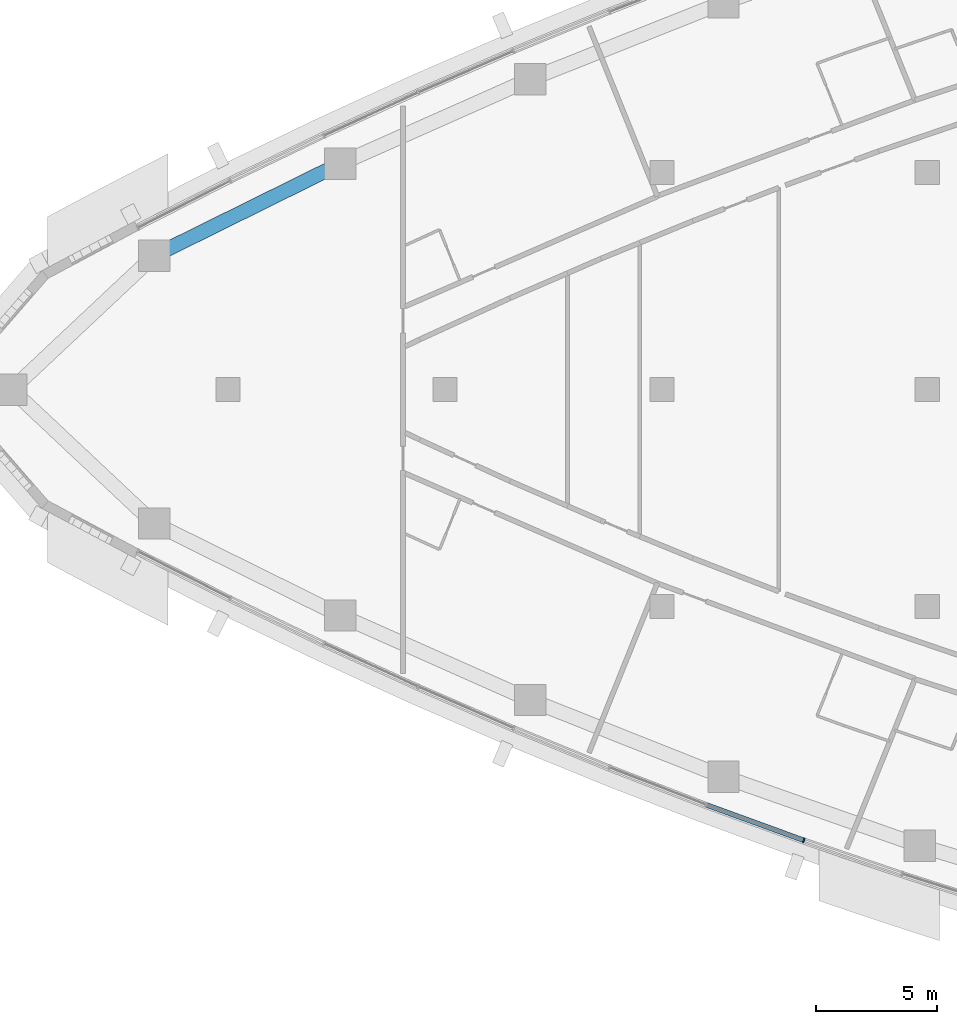
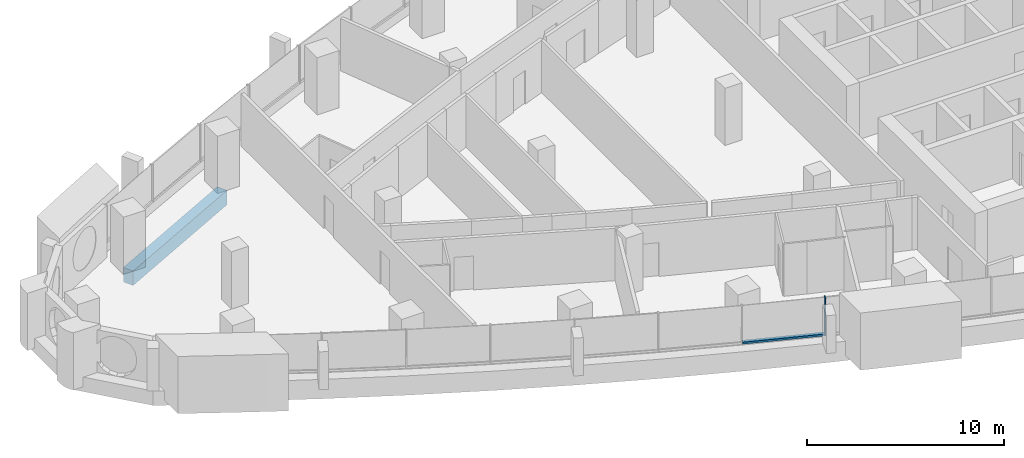
# One storey, part 3 of 16: 2 members, 1 beam, 1 element without a shape of its own.
"""IFC4 building model written with IfcOpenShell, lengths in metres."""

from ifc_helpers import new_model, si_unit, direction, frame, origin, origin_2d, place, context, subcontext, project, spatial, rectangle, extrude, material, layer, layer_set, material_profile, profile_set, type_object, element, aggregate, save


model = new_model("IFC4")

# Units and contexts
model_context = context("Model", 3, precision=1e-05, world=origin(), true_north=direction((0.0, 1.0)))
body_context = subcontext(model_context, "Body", "Model", "MODEL_VIEW")
ifc_project = project(units=[si_unit("LENGTHUNIT", "METRE"), si_unit("AREAUNIT", "SQUARE_METRE"), si_unit("VOLUMEUNIT", "CUBIC_METRE"), si_unit("PLANEANGLEUNIT", "RADIAN"), si_unit("MASSUNIT", "GRAM", prefix="KILO")], contexts=[model_context])

# Site, building, storey
site_placement = place(None, origin())
site = spatial("IfcSite", under=ifc_project, at=site_placement, CompositionType="ELEMENT")
building_placement = place(site_placement, origin())
building = spatial("IfcBuilding", under=site, at=building_placement, Name="Ostrand Prow Hotel Tower", CompositionType="ELEMENT")
storey_placement = place(building_placement, frame((0.0, 0.0, 189.699951171875)))
storey = spatial("IfcBuildingStorey", under=building, at=storey_placement, Name="L47", CompositionType="ELEMENT", Elevation=189.699951171875)

# Beam
ifc_material_1 = material(Name="Concrete C60/75", Category="concrete")
ifc_material_profile_1 = material_profile(ifc_material_1, rectangle(XDim=0.60009765625, YDim=0.89990234375, at=origin_2d()), Name="RC 600x900")
ifc_profile_set_1 = profile_set([ifc_material_profile_1], Name="Concrete C60/75")
beam_type = type_object("IfcBeamType", Name="Edge beam 600x900 C60/75", PredefinedType="SPANDREL", material=ifc_profile_set_1)
beam_placement = place(storey_placement, frame((20.656982421875, 9.373291015625, -0.75), z_axis=(-0.896383774903, -0.443278837856, 0.0), x_axis=(0.443278837856, -0.896383774903, 0.0)))
element("IfcBeam", 1, at=beam_placement, inside=storey, type_object=beam_type, Name="Edge beam N5-N6", PredefinedType="SPANDREL", context=body_context, shape_type="SweptSolid", body=[
    extrude(rectangle(XDim=0.60009765625, YDim=0.89990234375, at=origin_2d()), origin(), (0.0, 0.0, 1.0), 8.62158203125),
])

# Curtain wall, members
ifc_material_2 = material(Name="Insulated glass in bronze anodised frame", Category="glass")
ifc_layer = layer(ifc_material_2, 0.199951171875)
ifc_layer_set = layer_set([ifc_layer], Name="Insulated glass in bronze anodised frame")
curtain_wall_type = type_object("IfcCurtainWallType", Name="Strip curtain wall, fritted glass over bronze spandrel", PredefinedType="NOTDEFINED", material=ifc_layer_set)
curtain_wall_placement = place(storey_placement, origin())
curtain_wall = element("IfcCurtainWall", 2, at=curtain_wall_placement, inside=storey, type_object=curtain_wall_type, Name="CW1 run CWS4", PredefinedType="NOTDEFINED")
ifc_material_3 = material(Name="Bronze anodised aluminium", Category="aluminium")
ifc_material_profile_2 = material_profile(ifc_material_3, rectangle(XDim=0.199951171875, YDim=0.06005859375, at=origin_2d()), Name="Mullion 60x200 bronze anodised aluminium")
ifc_profile_set_2 = profile_set([ifc_material_profile_2], Name="Bronze anodised aluminium")
member_type_1 = type_object("IfcMemberType", Name="Mullion 60x200 bronze anodised aluminium", PredefinedType="MULLION", material=ifc_profile_set_2)
member_1_placement = place(storey_placement, frame((39.87939453125, -18.696533203125, 0.900146484375), z_axis=(0.0, 0.0, 1.0), x_axis=(0.322908332404, 0.946430245113, 0.0)))
member_1 = element("IfcMember", 3, at=member_1_placement, type_object=member_type_1, Name="CW1 mullion 2", PredefinedType="MULLION", context=body_context, shape_type="SweptSolid", body=[
    extrude(rectangle(XDim=0.199951171875, YDim=0.06005859375, at=origin_2d()), origin(), (0.0, 0.0, 1.0), 2.349853515625),
])
ifc_material_4 = material(Name="Bronze anodised aluminium", Category="aluminium")
ifc_material_profile_3 = material_profile(ifc_material_4, rectangle(XDim=0.199951171875, YDim=0.1201171875, at=origin_2d()), Name="Transom 120x200 bronze anodised aluminium")
ifc_profile_set_3 = profile_set([ifc_material_profile_3], Name="Bronze anodised aluminium")
member_type_2 = type_object("IfcMemberType", Name="Transom 120x200 bronze anodised aluminium", PredefinedType="USERDEFINED", material=ifc_profile_set_3)
member_2_placement = place(storey_placement, frame((35.86181640625, -17.235107421875, 0.9599609375), z_axis=(0.939753116272, -0.341853887584, 0.0), x_axis=(0.341853887584, 0.939753116272, 0.0)))
member_2 = element("IfcMember", 4, at=member_2_placement, type_object=member_type_2, Name="CW1 transom 1.1", ObjectType="TRANSOM", PredefinedType="USERDEFINED", context=body_context, shape_type="SweptSolid", body=[
    extrude(rectangle(XDim=0.199951171875, YDim=0.1201171875, at=origin_2d()), origin(), (0.0, 0.0, 1.0), 4.2451171875),
])
aggregate(curtain_wall, [member_1, member_2])

save(model, "model.ifc")
